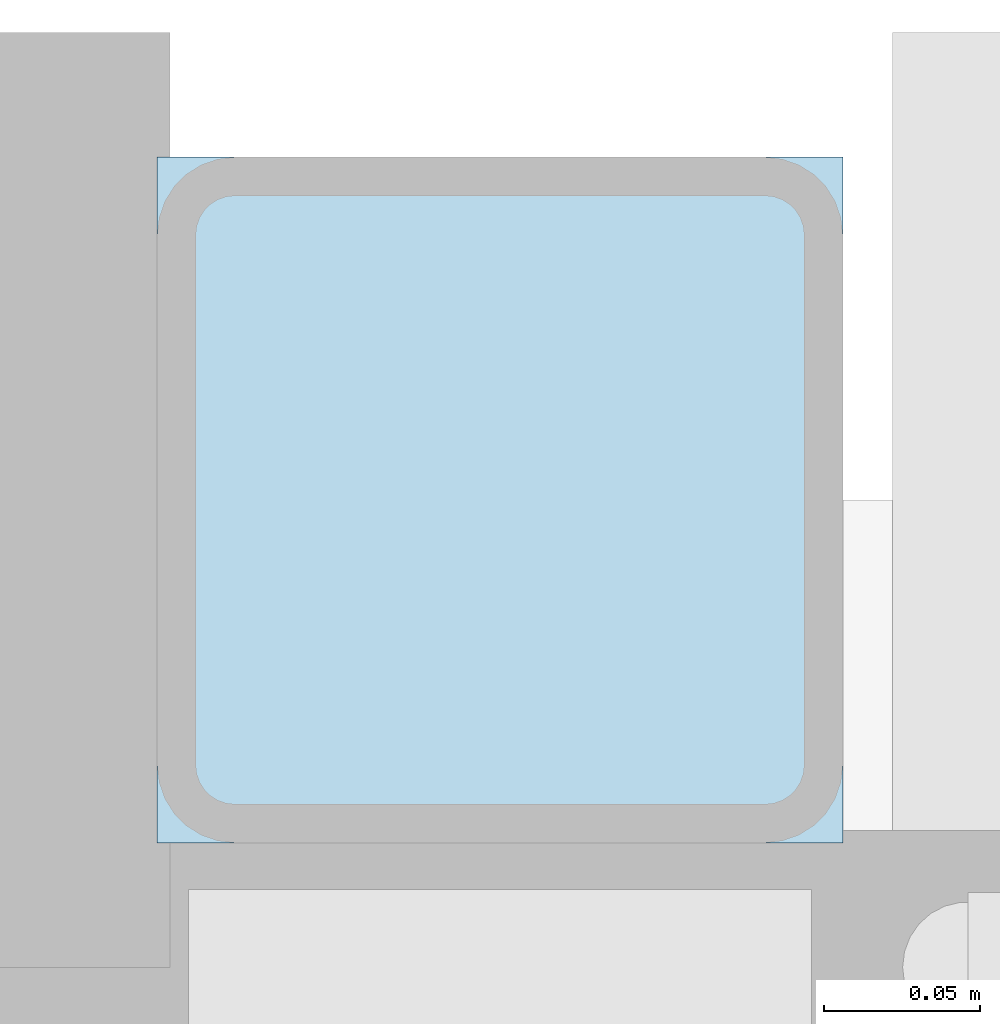
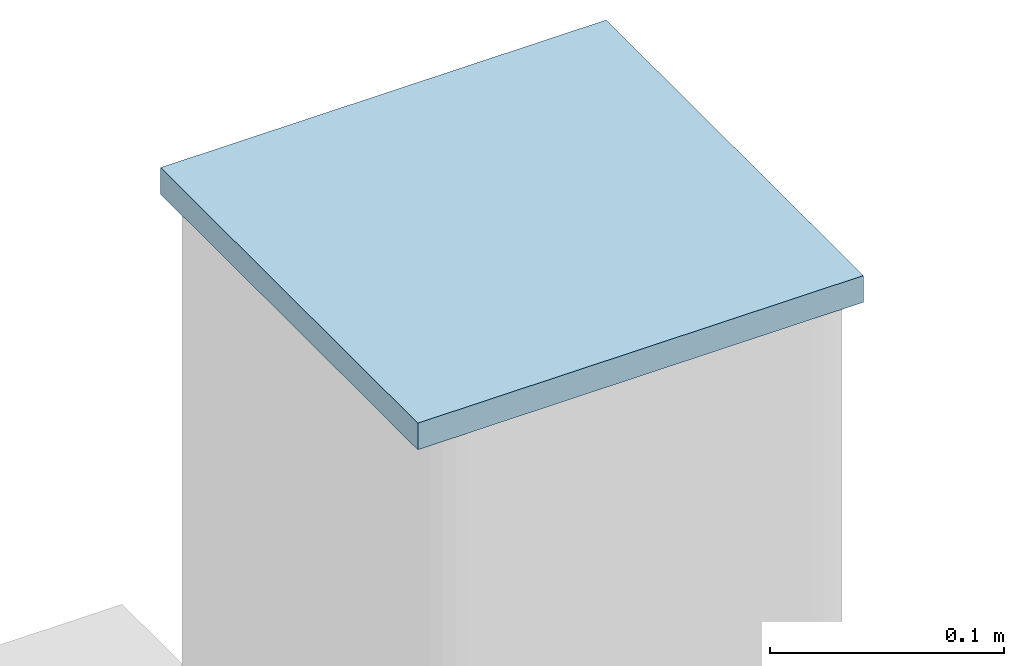
# One storey, part 73 of 86: 1 plate.
"""IFC4 building model written with IfcOpenShell, lengths in metres."""

from ifc_helpers import new_model, si_unit, direction, frame, origin, origin_2d, place, context, subcontext, project, spatial, rectangle, extrude, material, layer, layer_set, type_object, element, save


model = new_model("IFC4")

# Units and contexts
model_context = context("Model", 3, precision=1e-05, world=origin(), true_north=direction((0.0, 1.0)))
body_context = subcontext(model_context, "Body", "Model", "MODEL_VIEW")
ifc_project = project(units=[si_unit("LENGTHUNIT", "METRE"), si_unit("AREAUNIT", "SQUARE_METRE"), si_unit("VOLUMEUNIT", "CUBIC_METRE"), si_unit("PLANEANGLEUNIT", "RADIAN"), si_unit("MASSUNIT", "GRAM", prefix="KILO")], contexts=[model_context])

# Site, building, storey
site_placement = place(None, origin())
site = spatial("IfcSite", under=ifc_project, at=site_placement, CompositionType="ELEMENT")
building_placement = place(site_placement, origin())
building = spatial("IfcBuilding", under=site, at=building_placement, Name="Tasgan Crest Museum", CompositionType="ELEMENT")
storey_placement = place(building_placement, frame((0.0, 0.0, 24.0)))
storey = spatial("IfcBuildingStorey", under=building, at=storey_placement, Name="L04", CompositionType="ELEMENT", Elevation=24.0)

# Plate
ifc_material = material(Name="Steel S355K2", Category="steel")
ifc_layer = layer(ifc_material, 0.219970703125, Name="PL-CAP-220x220x14")
ifc_layer_set = layer_set([ifc_layer], Name="Steel S355K2")
plate_type = type_object("IfcPlateType", Name="PL-CAP-220x220x14", PredefinedType="USERDEFINED", material=ifc_layer_set)
plate_placement = place(storey_placement, frame((86.39990234375, 112.0, 4.7998046875), z_axis=(0.0, 0.0, 1.0), x_axis=(1.0, 0.0, 0.0)))
element("IfcPlate", 1, at=plate_placement, inside=storey, type_object=plate_type, Name="End plate Column 9/M L04 end B", ObjectType="END PLATE", PredefinedType="USERDEFINED", context=body_context, shape_type="SweptSolid", body=[
    extrude(rectangle(XDim=0.219970703125, YDim=0.219970703125, at=origin_2d()), origin(), (0.0, 0.0, 1.0), 0.013916015625),
])

save(model, "model.ifc")
